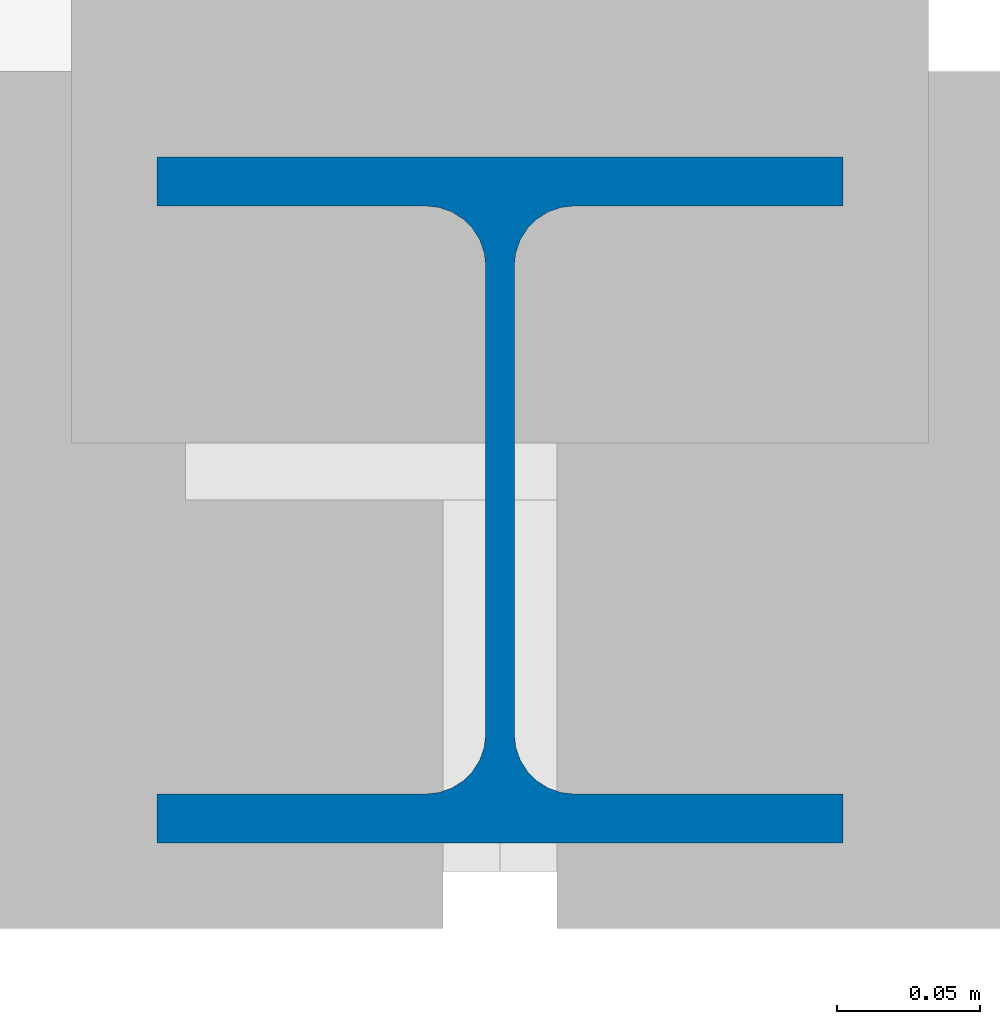
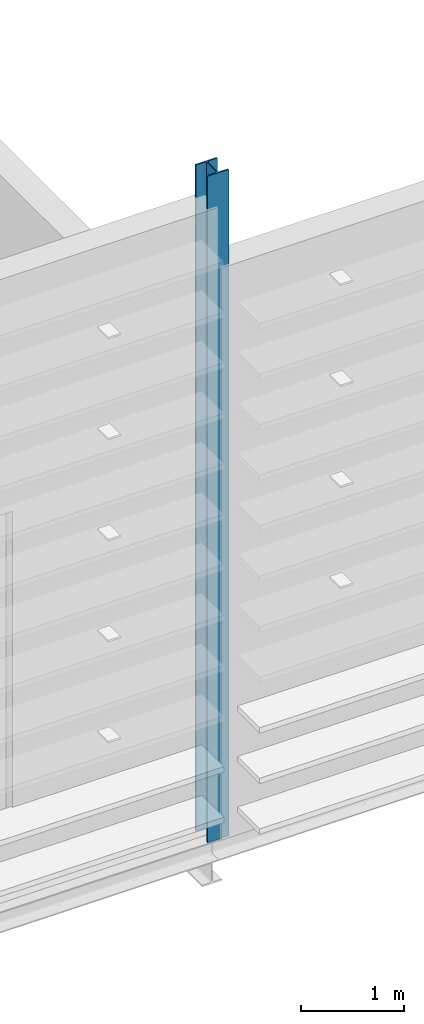
# One storey, part 3 of 73: 1 column.
"""IFC4 building model written with IfcOpenShell, lengths in metres."""

from ifc_helpers import new_model, si_unit, direction, frame, origin, origin_2d, place, context, subcontext, project, spatial, i_section, extrude, material, material_profile, profile_set, type_object, element, save


model = new_model("IFC4")

# Units and contexts
model_context = context("Model", 3, precision=1e-05, world=origin(), true_north=direction((0.0, 1.0)))
body_context = subcontext(model_context, "Body", "Model", "MODEL_VIEW")
ifc_project = project(units=[si_unit("LENGTHUNIT", "METRE"), si_unit("AREAUNIT", "SQUARE_METRE"), si_unit("VOLUMEUNIT", "CUBIC_METRE"), si_unit("PLANEANGLEUNIT", "RADIAN"), si_unit("MASSUNIT", "GRAM", prefix="KILO")], contexts=[model_context])

# Site, building, storey
site_placement = place(None, origin())
site = spatial("IfcSite", under=ifc_project, at=site_placement, CompositionType="ELEMENT")
building_placement = place(site_placement, origin())
building = spatial("IfcBuilding", under=site, at=building_placement, Name="Alderhovde Museum", CompositionType="ELEMENT")
storey_placement = place(building_placement, frame((0.0, 0.0, 17.39990234375)))
storey = spatial("IfcBuildingStorey", under=building, at=storey_placement, Name="L04", CompositionType="ELEMENT", Elevation=17.39990234375)

# Column
ifc_material = material(Name="Steel S355J2", Category="steel")
ifc_material_profile = material_profile(ifc_material, i_section(OverallWidth=0.239990234375, OverallDepth=0.239990234375, WebThickness=0.010009765625, FlangeThickness=0.01708984375, FilletRadius=0.02099609375, at=origin_2d()), Name="HEB 240")
ifc_profile_set = profile_set([ifc_material_profile], Name="Steel S355J2")
column_type = type_object("IfcColumnType", Name="COL-HEB240", PredefinedType="COLUMN", material=ifc_profile_set)
column_placement = place(storey_placement, frame((57.60009765625, 48.0, -0.27978515625), z_axis=(0.0, 0.0, 1.0), x_axis=(1.0, 0.0, 0.0)))
element("IfcColumn", 1, at=column_placement, inside=storey, type_object=column_type, Name="L04 Column (57.6, 48.0)", PredefinedType="COLUMN", context=body_context, shape_type="SweptSolid", body=[
    extrude(i_section(OverallWidth=0.239990234375, OverallDepth=0.239990234375, WebThickness=0.010009765625, FlangeThickness=0.01708984375, FilletRadius=0.02099609375, at=origin_2d()), origin(), (0.0, 0.0, 1.0), 7.91650390625),
])

save(model, "model.ifc")
